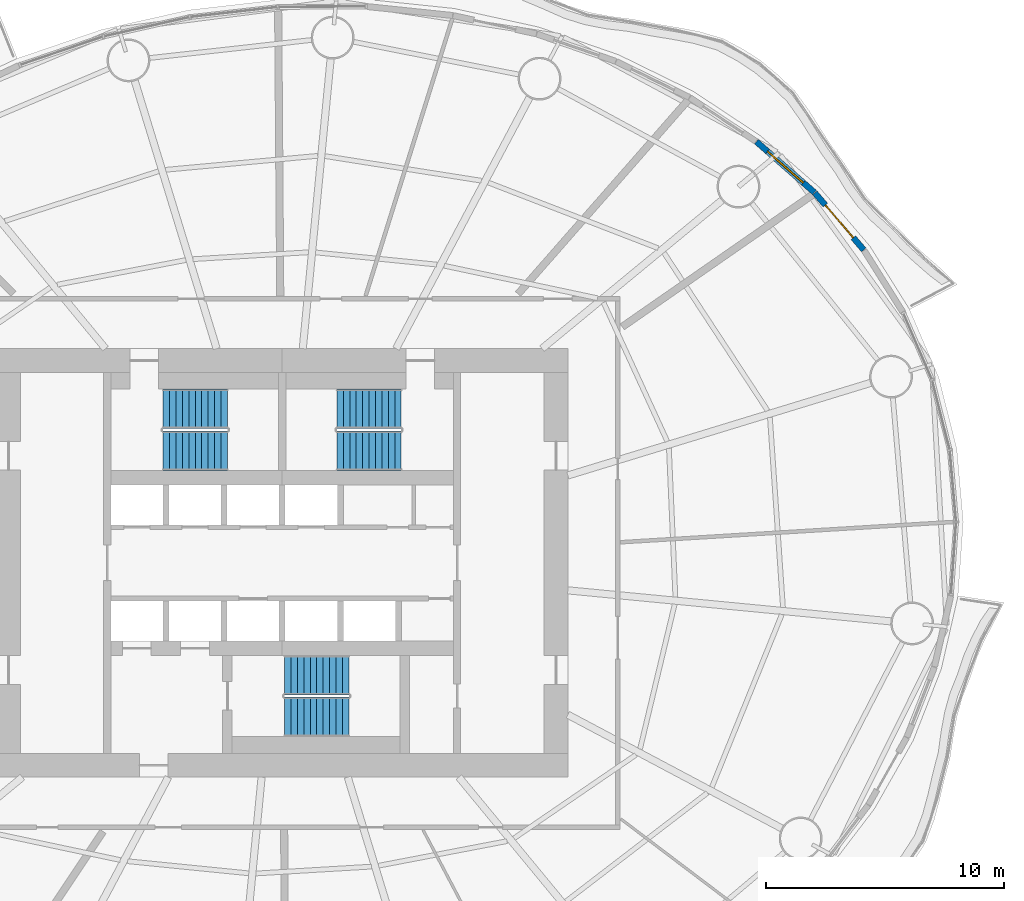
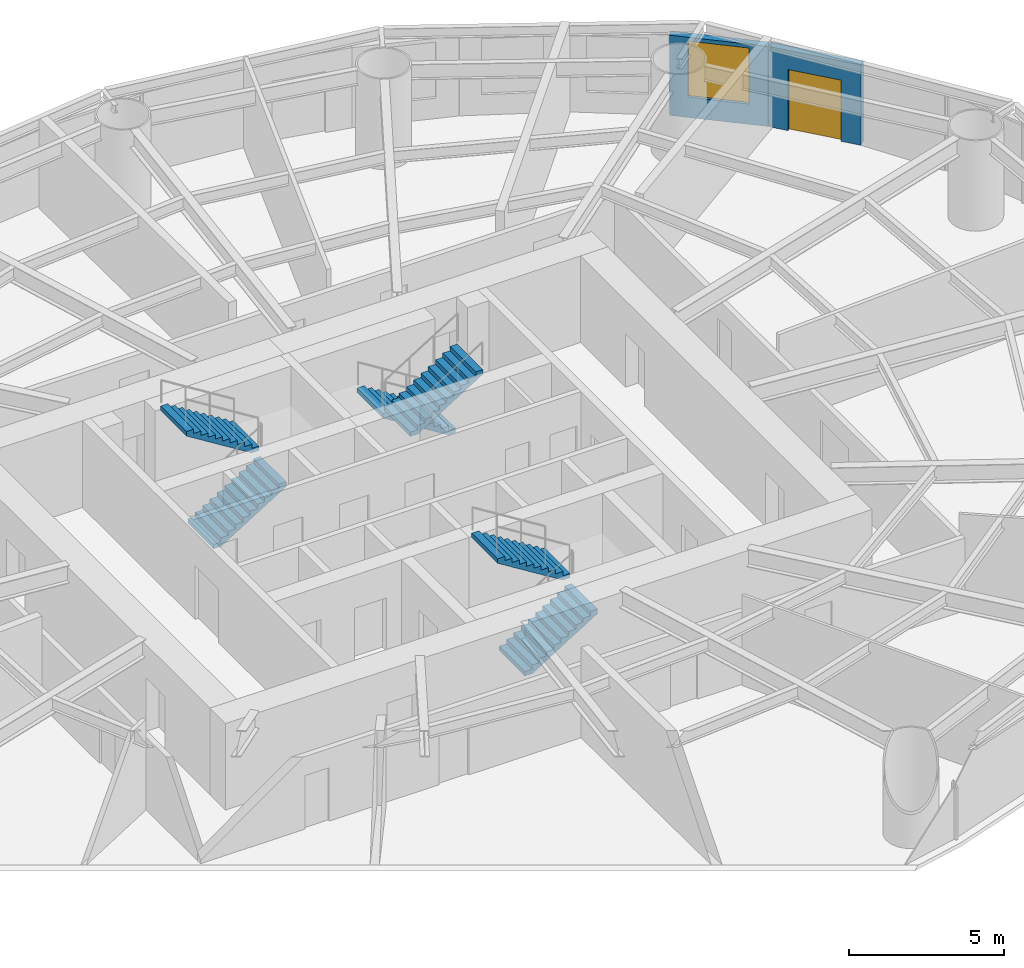
# One storey, part 11 of 16: 6 stair flights, 2 walls, 1 door, 1 window, 2 openings, 3 elements without a shape of their own.
"""IFC4 building model written with IfcOpenShell, lengths in metres."""

from ifc_helpers import new_model, si_unit, direction, frame, frame_2d, origin, place, context, subcontext, project, spatial, polyline, rectangle, outline, extrude, material, layer, layer_set, type_object, element, fill, aggregate, save


model = new_model("IFC4")

# Units and contexts
model_context = context("Model", 3, precision=1e-05, world=origin(), true_north=direction((0.0, 1.0)))
body_context = subcontext(model_context, "Body", "Model", "MODEL_VIEW")
ifc_project = project(units=[si_unit("LENGTHUNIT", "METRE"), si_unit("AREAUNIT", "SQUARE_METRE"), si_unit("VOLUMEUNIT", "CUBIC_METRE"), si_unit("PLANEANGLEUNIT", "RADIAN"), si_unit("MASSUNIT", "GRAM", prefix="KILO")], contexts=[model_context])

# Site, building, storey
site_placement = place(None, origin())
site = spatial("IfcSite", under=ifc_project, at=site_placement, CompositionType="ELEMENT")
building_placement = place(site_placement, origin())
building = spatial("IfcBuilding", under=site, at=building_placement, Name="Vermilion Reach Broadcast Tower", CompositionType="ELEMENT")
storey_placement = place(building_placement, frame((0.0, 0.0, 73.0)))
storey = spatial("IfcBuildingStorey", under=building, at=storey_placement, Name="L15", CompositionType="ELEMENT", Elevation=73.0)

# Wall, opening, door
ifc_material_1 = material(Name="Terracotta rainscreen cladding", Category="masonry")
ifc_layer = layer(ifc_material_1, 0.25)
ifc_layer_set = layer_set([ifc_layer], Name="Terracotta rainscreen wall 250")
wall_type = type_object("IfcWallType", Name="Terracotta rainscreen wall 250", PredefinedType="SOLIDWALL", material=ifc_layer_set)
wall_1_placement = place(storey_placement, frame((18.42919921875, 13.1474609375, 0.0), z_axis=(0.0, 0.0, 1.0), x_axis=(-0.651320140898, 0.75880305354, 0.0)))
wall_1 = element("IfcWall", 1, at=wall_1_placement, inside=storey, type_object=wall_type, Name="External wall L15 03", PredefinedType="SOLIDWALL", context=body_context, shape_type="SweptSolid", body=[
    extrude(rectangle(XDim=3.155029296875, YDim=0.25, at=frame_2d((1.57763671875, 0.0))), origin(), (0.0, 0.0, 1.0), 3.14990234375),
])
opening_1_placement = place(wall_1_placement, frame((0.677001953125, 0.0, 0.0)))
opening_1 = element("IfcOpeningElement", 2, at=opening_1_placement, cuts=wall_1, Name="Opening D70", PredefinedType="OPENING", context=body_context, shape_type="SweptSolid", body=[
    extrude(rectangle(XDim=1.800048828125, YDim=2.39990234375, at=frame_2d((0.89990234375, 1.199951171875))), frame((0.0, 0.135009765625, 0.0), z_axis=(0.0, -1.0, 0.0), x_axis=(1.0, 0.0, 0.0)), (0.0, 0.0, 1.0), 0.27001953125),
])
ifc_material_2 = material(Name="Low-e laminated clear glass in aluminium frame", Category="aluminium")
door_type = type_object("IfcDoorType", Name="Balcony sliding door 1800 x 2400", OperationType="DOUBLE_DOOR_SLIDING", PredefinedType="DOOR", material=ifc_material_2)
door_placement = place(opening_1_placement, origin())
door = element("IfcDoor", 3, at=door_placement, inside=storey, type_object=door_type, Name="Balcony door L15 run 01", OperationType="DOUBLE_DOOR_SLIDING", OverallHeight=2.39990234375, OverallWidth=1.800048828125, PredefinedType="DOOR", context=body_context, shape_type="SweptSolid", body=[
    extrude(rectangle(XDim=1.800048828125, YDim=2.39990234375, at=frame_2d((0.89990234375, 1.199951171875))), frame((0.0, 0.02490234375, 0.0), z_axis=(0.0, -1.0, 0.0), x_axis=(1.0, 0.0, 0.0)), (0.0, 0.0, 1.0), 0.050048828125),
])
fill(opening_1, door)

# Wall, opening, window
wall_2_placement = place(storey_placement, frame((16.356201171875, 15.559814453125, 0.0), z_axis=(0.0, 0.0, 1.0), x_axis=(-0.752375826342, 0.658734101088, 0.0)))
wall_2 = element("IfcWall", 4, at=wall_2_placement, inside=storey, type_object=wall_type, Name="External wall L15 04", PredefinedType="SOLIDWALL", context=body_context, shape_type="SweptSolid", body=[
    extrude(rectangle(XDim=3.238037109375, YDim=0.25, at=frame_2d((1.619140625, 0.0))), origin(), (0.0, 0.0, 1.0), 3.14990234375),
])
opening_2_placement = place(wall_2_placement, frame((0.619140625, 0.0, 0.800048828125)))
opening_2 = element("IfcOpeningElement", 5, at=opening_2_placement, cuts=wall_2, Name="Opening W01", PredefinedType="OPENING", context=body_context, shape_type="SweptSolid", body=[
    extrude(rectangle(XDim=2.0, YDim=2.199951171875, at=frame_2d((1.0, 1.10009765625))), frame((0.0, 0.135009765625, 0.0), z_axis=(0.0, -1.0, 0.0), x_axis=(1.0, 0.0, 0.0)), (0.0, 0.0, 1.0), 0.27001953125),
])
ifc_material_3 = material(Name="Low-e laminated clear glass in aluminium frame", Category="aluminium")
window_type = type_object("IfcWindowType", Name="Punched window 2000 x 2200 sill 800", PartitioningType="SINGLE_PANEL", PredefinedType="WINDOW", material=ifc_material_3)
window_placement = place(opening_2_placement, origin())
window = element("IfcWindow", 6, at=window_placement, inside=storey, type_object=window_type, Name="Window L15 04", OverallHeight=2.199951171875, OverallWidth=2.0, PartitioningType="SINGLE_PANEL", PredefinedType="WINDOW", context=body_context, shape_type="SweptSolid", body=[
    extrude(rectangle(XDim=2.0, YDim=2.199951171875, at=frame_2d((1.0, 1.10009765625))), frame((0.0, 0.030029296875, 0.0), z_axis=(0.0, -1.0, 0.0), x_axis=(1.0, 0.0, 0.0)), (0.0, 0.0, 1.0), 0.06005859375),
])
fill(opening_2, window)

# Stair, stair flights
ifc_material_4 = material(Name="Concrete C40", Category="concrete")
stair_type = type_object("IfcStairType", Name="Exit stair RC 22 risers 168 mm", PredefinedType="HALF_TURN_STAIR", material=ifc_material_4)
placement = place(storey_placement, origin())
stair_1 = element("IfcStair", 7, at=placement, inside=storey, type_object=stair_type, Name="L15 Exit stair ST1", PredefinedType="HALF_TURN_STAIR")
ifc_material_5 = material(Name="Concrete C40", Category="concrete")
stair_flight_type = type_object("IfcStairFlightType", Name="Exit stair flight RC 11 risers", PredefinedType="STRAIGHT", material=ifc_material_5)
stair_flight_1_placement = place(storey_placement, frame((-11.0, 4.7099609375, 0.0), z_axis=(0.0, 0.0, 1.0), x_axis=(1.0, 0.0, 0.0)))
stair_flight_1 = element("IfcStairFlight", 8, at=stair_flight_1_placement, type_object=stair_flight_type, Name="ST1 flight 1", NumberOfRisers=11, NumberOfTreads=10, PredefinedType="STRAIGHT", RiserHeight=0.168181818, TreadLength=0.27, context=body_context, shape_type="SweptSolid", body=[
    extrude(outline(polyline([(0.0, 0.0), (0.0, 0.168212890625), (0.27001953125, 0.168212890625), (0.27001953125, 0.33642578125), (0.5400390625, 0.33642578125), (0.5400390625, 0.504638671875), (0.81005859375, 0.504638671875), (0.81005859375, 0.672607421875), (1.080078125, 0.672607421875), (1.080078125, 0.8408203125), (1.35009765625, 0.8408203125), (1.35009765625, 1.009033203125), (1.6201171875, 1.009033203125), (1.6201171875, 1.17724609375), (1.889892578125, 1.17724609375), (1.889892578125, 1.345458984375), (2.159912109375, 1.345458984375), (2.159912109375, 1.513671875), (2.429931640625, 1.513671875), (2.429931640625, 1.681884765625), (2.699951171875, 1.681884765625), (2.699951171875, 1.85009765625), (2.699951171875, 1.505126953125), (0.283447265625, 0.0), (0.0, 0.0)])), frame((0.0, 0.830078125, 0.0), z_axis=(0.0, -1.0, 0.0), x_axis=(1.0, 0.0, 0.0)), (0.0, 0.0, 1.0), 1.659912109375),
])
stair_flight_2_placement = place(storey_placement, frame((-8.300048828125, 6.469970703125, 1.85009765625), z_axis=(0.0, 0.0, 1.0), x_axis=(-1.0, 0.0, 0.0)))
stair_flight_2 = element("IfcStairFlight", 9, at=stair_flight_2_placement, type_object=stair_flight_type, Name="ST1 flight 2", NumberOfRisers=11, NumberOfTreads=10, PredefinedType="STRAIGHT", RiserHeight=0.168181818, TreadLength=0.27, context=body_context, shape_type="SweptSolid", body=[
    extrude(outline(polyline([(0.0, 0.0), (0.0, 0.168212890625), (0.27001953125, 0.168212890625), (0.27001953125, 0.33642578125), (0.5400390625, 0.33642578125), (0.5400390625, 0.504638671875), (0.81005859375, 0.504638671875), (0.81005859375, 0.672607421875), (1.080078125, 0.672607421875), (1.080078125, 0.8408203125), (1.35009765625, 0.8408203125), (1.35009765625, 1.009033203125), (1.6201171875, 1.009033203125), (1.6201171875, 1.17724609375), (1.889892578125, 1.17724609375), (1.889892578125, 1.345458984375), (2.159912109375, 1.345458984375), (2.159912109375, 1.513671875), (2.429931640625, 1.513671875), (2.429931640625, 1.681884765625), (2.699951171875, 1.681884765625), (2.699951171875, 1.85009765625), (2.699951171875, 1.505126953125), (0.283447265625, 0.0), (0.0, 0.0)])), frame((0.0, 0.830078125, 0.0), z_axis=(0.0, -1.0, 0.0), x_axis=(1.0, 0.0, 0.0)), (0.0, 0.0, 1.0), 1.659912109375),
])
aggregate(stair_1, [stair_flight_1, stair_flight_2])

stair_2 = element("IfcStair", 10, at=placement, inside=storey, type_object=stair_type, Name="L15 Exit stair ST2", PredefinedType="HALF_TURN_STAIR")
stair_flight_3_placement = place(storey_placement, frame((-1.0, 6.469970703125, 0.0), z_axis=(0.0, 0.0, 1.0), x_axis=(-1.0, 0.0, 0.0)))
stair_flight_3 = element("IfcStairFlight", 11, at=stair_flight_3_placement, type_object=stair_flight_type, Name="ST2 flight 1", NumberOfRisers=11, NumberOfTreads=10, PredefinedType="STRAIGHT", RiserHeight=0.168181818, TreadLength=0.27, context=body_context, shape_type="SweptSolid", body=[
    extrude(outline(polyline([(0.0, 0.0), (0.0, 0.168212890625), (0.27001953125, 0.168212890625), (0.27001953125, 0.33642578125), (0.5400390625, 0.33642578125), (0.5400390625, 0.504638671875), (0.81005859375, 0.504638671875), (0.81005859375, 0.672607421875), (1.080078125, 0.672607421875), (1.080078125, 0.8408203125), (1.35009765625, 0.8408203125), (1.35009765625, 1.009033203125), (1.6201171875, 1.009033203125), (1.6201171875, 1.17724609375), (1.889892578125, 1.17724609375), (1.889892578125, 1.345458984375), (2.159912109375, 1.345458984375), (2.159912109375, 1.513671875), (2.429931640625, 1.513671875), (2.429931640625, 1.681884765625), (2.699951171875, 1.681884765625), (2.699951171875, 1.85009765625), (2.699951171875, 1.505126953125), (0.283447265625, 0.0), (0.0, 0.0)])), frame((0.0, 0.830078125, 0.0), z_axis=(0.0, -1.0, 0.0), x_axis=(1.0, 0.0, 0.0)), (0.0, 0.0, 1.0), 1.659912109375),
])
stair_flight_4_placement = place(storey_placement, frame((-3.699951171875, 4.7099609375, 1.85009765625), z_axis=(0.0, 0.0, 1.0), x_axis=(1.0, 0.0, 0.0)))
stair_flight_4 = element("IfcStairFlight", 12, at=stair_flight_4_placement, type_object=stair_flight_type, Name="ST2 flight 2", NumberOfRisers=11, NumberOfTreads=10, PredefinedType="STRAIGHT", RiserHeight=0.168181818, TreadLength=0.27, context=body_context, shape_type="SweptSolid", body=[
    extrude(outline(polyline([(0.0, 0.0), (0.0, 0.168212890625), (0.27001953125, 0.168212890625), (0.27001953125, 0.33642578125), (0.5400390625, 0.33642578125), (0.5400390625, 0.504638671875), (0.81005859375, 0.504638671875), (0.81005859375, 0.672607421875), (1.080078125, 0.672607421875), (1.080078125, 0.8408203125), (1.35009765625, 0.8408203125), (1.35009765625, 1.009033203125), (1.6201171875, 1.009033203125), (1.6201171875, 1.17724609375), (1.889892578125, 1.17724609375), (1.889892578125, 1.345458984375), (2.159912109375, 1.345458984375), (2.159912109375, 1.513671875), (2.429931640625, 1.513671875), (2.429931640625, 1.681884765625), (2.699951171875, 1.681884765625), (2.699951171875, 1.85009765625), (2.699951171875, 1.505126953125), (0.283447265625, 0.0), (0.0, 0.0)])), frame((0.0, 0.830078125, 0.0), z_axis=(0.0, -1.0, 0.0), x_axis=(1.0, 0.0, 0.0)), (0.0, 0.0, 1.0), 1.659912109375),
])
aggregate(stair_2, [stair_flight_3, stair_flight_4])

stair_3 = element("IfcStair", 13, at=placement, inside=storey, type_object=stair_type, Name="L15 Exit stair ST3", PredefinedType="HALF_TURN_STAIR")
stair_flight_5_placement = place(storey_placement, frame((-5.89990234375, -6.469970703125, 0.0), z_axis=(0.0, 0.0, 1.0), x_axis=(1.0, 0.0, 0.0)))
stair_flight_5 = element("IfcStairFlight", 14, at=stair_flight_5_placement, type_object=stair_flight_type, Name="ST3 flight 1", NumberOfRisers=11, NumberOfTreads=10, PredefinedType="STRAIGHT", RiserHeight=0.168181818, TreadLength=0.27, context=body_context, shape_type="SweptSolid", body=[
    extrude(outline(polyline([(0.0, 0.0), (0.0, 0.168212890625), (0.27001953125, 0.168212890625), (0.27001953125, 0.33642578125), (0.5400390625, 0.33642578125), (0.5400390625, 0.504638671875), (0.81005859375, 0.504638671875), (0.81005859375, 0.672607421875), (1.080078125, 0.672607421875), (1.080078125, 0.8408203125), (1.35009765625, 0.8408203125), (1.35009765625, 1.009033203125), (1.6201171875, 1.009033203125), (1.6201171875, 1.17724609375), (1.889892578125, 1.17724609375), (1.889892578125, 1.345458984375), (2.159912109375, 1.345458984375), (2.159912109375, 1.513671875), (2.429931640625, 1.513671875), (2.429931640625, 1.681884765625), (2.699951171875, 1.681884765625), (2.699951171875, 1.85009765625), (2.699951171875, 1.505126953125), (0.283447265625, 0.0), (0.0, 0.0)])), frame((0.0, 0.830078125, 0.0), z_axis=(0.0, -1.0, 0.0), x_axis=(1.0, 0.0, 0.0)), (0.0, 0.0, 1.0), 1.659912109375),
])
stair_flight_6_placement = place(storey_placement, frame((-3.199951171875, -4.7099609375, 1.85009765625), z_axis=(0.0, 0.0, 1.0), x_axis=(-1.0, 0.0, 0.0)))
stair_flight_6 = element("IfcStairFlight", 15, at=stair_flight_6_placement, type_object=stair_flight_type, Name="ST3 flight 2", NumberOfRisers=11, NumberOfTreads=10, PredefinedType="STRAIGHT", RiserHeight=0.168181818, TreadLength=0.27, context=body_context, shape_type="SweptSolid", body=[
    extrude(outline(polyline([(0.0, 0.0), (0.0, 0.168212890625), (0.27001953125, 0.168212890625), (0.27001953125, 0.33642578125), (0.5400390625, 0.33642578125), (0.5400390625, 0.504638671875), (0.81005859375, 0.504638671875), (0.81005859375, 0.672607421875), (1.080078125, 0.672607421875), (1.080078125, 0.8408203125), (1.35009765625, 0.8408203125), (1.35009765625, 1.009033203125), (1.6201171875, 1.009033203125), (1.6201171875, 1.17724609375), (1.889892578125, 1.17724609375), (1.889892578125, 1.345458984375), (2.159912109375, 1.345458984375), (2.159912109375, 1.513671875), (2.429931640625, 1.513671875), (2.429931640625, 1.681884765625), (2.699951171875, 1.681884765625), (2.699951171875, 1.85009765625), (2.699951171875, 1.505126953125), (0.283447265625, 0.0), (0.0, 0.0)])), frame((0.0, 0.830078125, 0.0), z_axis=(0.0, -1.0, 0.0), x_axis=(1.0, 0.0, 0.0)), (0.0, 0.0, 1.0), 1.659912109375),
])
aggregate(stair_3, [stair_flight_5, stair_flight_6])

save(model, "model.ifc")
